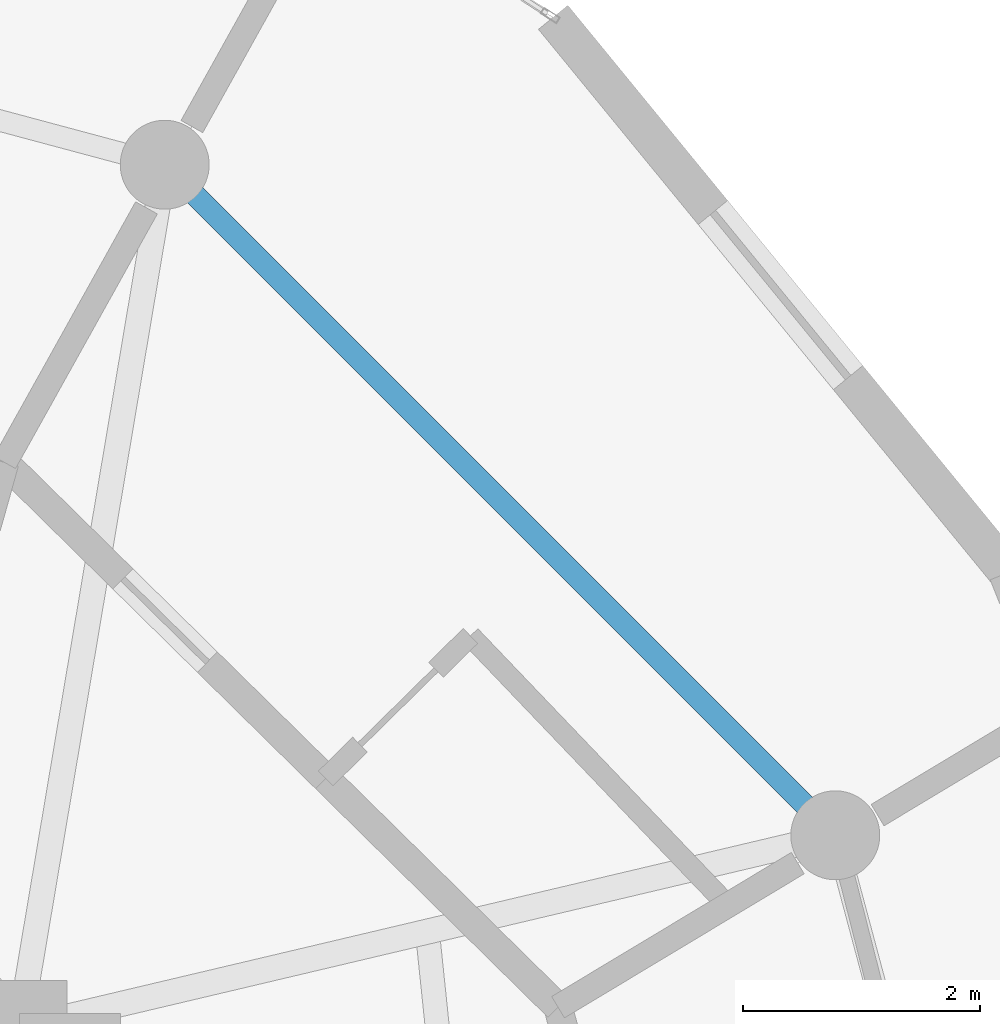
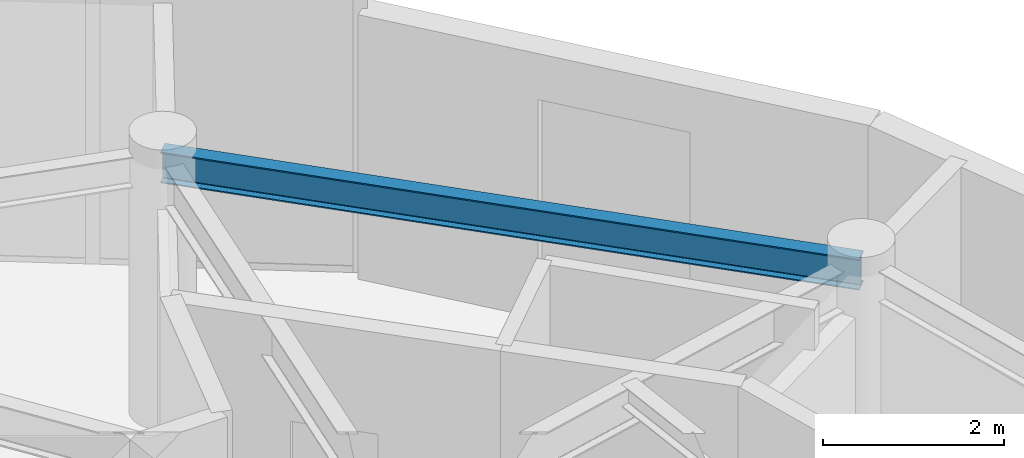
# One storey, part 8 of 17: 1 beam.
"""IFC4 building model written with IfcOpenShell, lengths in metres."""

from ifc_helpers import new_model, si_unit, direction, frame, origin, origin_2d, place, context, subcontext, project, spatial, i_section, extrude, material, material_profile, profile_set, type_object, element, save


model = new_model("IFC4")

# Units and contexts
model_context = context("Model", 3, precision=1e-05, world=origin(), true_north=direction((0.0, 1.0)))
body_context = subcontext(model_context, "Body", "Model", "MODEL_VIEW")
ifc_project = project(units=[si_unit("LENGTHUNIT", "METRE"), si_unit("AREAUNIT", "SQUARE_METRE"), si_unit("VOLUMEUNIT", "CUBIC_METRE"), si_unit("PLANEANGLEUNIT", "RADIAN"), si_unit("MASSUNIT", "GRAM", prefix="KILO")], contexts=[model_context])

# Site, building, storey
site_placement = place(None, origin())
site = spatial("IfcSite", under=ifc_project, at=site_placement, CompositionType="ELEMENT")
building_placement = place(site_placement, origin())
building = spatial("IfcBuilding", under=site, at=building_placement, Name="Solvirekh Grand Hotel", CompositionType="ELEMENT")
storey_placement = place(building_placement, frame((0.0, 0.0, 246.800048828125)))
storey = spatial("IfcBuildingStorey", under=building, at=storey_placement, Name="L64", CompositionType="ELEMENT", Elevation=246.800048828125)

# Beam
ifc_material = material(Name="Steel S355", Category="steel")
ifc_material_profile = material_profile(ifc_material, i_section(OverallWidth=0.180908203125, OverallDepth=0.4169921875, WebThickness=0.010009765625, FlangeThickness=0.01611328125, FilletRadius=0.011962890625, at=origin_2d()), Name="W410X85")
ifc_profile_set = profile_set([ifc_material_profile], Name="Steel S355")
beam_type = type_object("IfcBeamType", Name="Spandrel_Ring_W410", PredefinedType="SPANDREL", material=ifc_profile_set)
beam_placement = place(storey_placement, frame((13.3798828125, 7.72509765625, 3.362060546875), z_axis=(-0.707106781187, 0.707106781187, 0.0), x_axis=(-0.707106781187, -0.707106781187, 0.0)))
element("IfcBeam", 1, at=beam_placement, inside=storey, type_object=beam_type, Name="L64 perimeter spandrel beam 2", PredefinedType="SPANDREL", context=body_context, shape_type="SweptSolid", body=[
    extrude(i_section(OverallWidth=0.180908203125, OverallDepth=0.4169921875, WebThickness=0.010009765625, FlangeThickness=0.01611328125, FilletRadius=0.011962890625, at=origin_2d()), origin(), (0.0, 0.0, 1.0), 7.9970703125),
])

save(model, "model.ifc")
